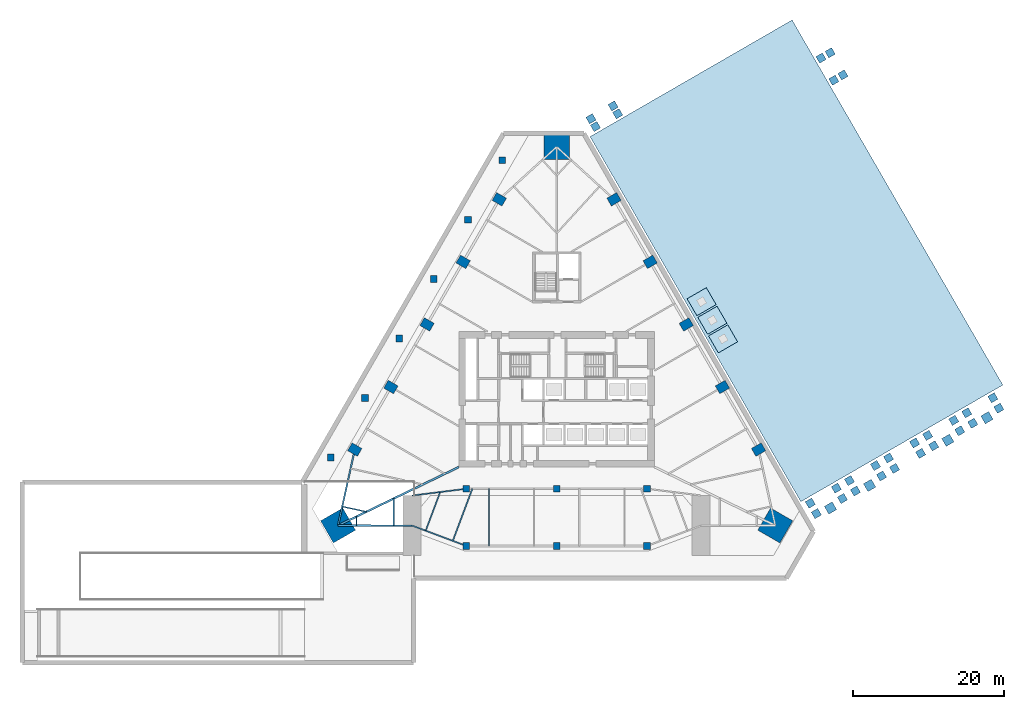
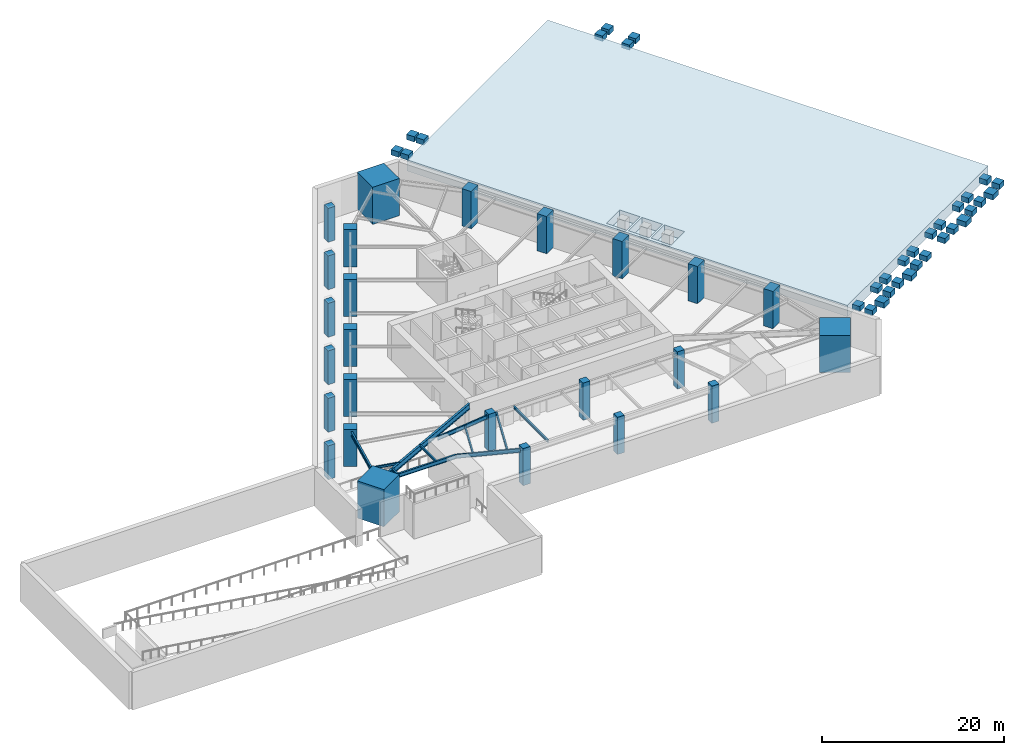
# One storey, part 1 of 9: 36 footings, 25 columns, 11 beams.
"""IFC4 building model written with IfcOpenShell, lengths in metres."""

from ifc_helpers import new_model, si_unit, direction, frame, origin, origin_2d, place, context, subcontext, project, spatial, polyline, rectangle, i_section, outline, extrude, material, layer, layer_set, material_profile, profile_set, type_object, element, save


model = new_model("IFC4")

# Units and contexts
model_context = context("Model", 3, precision=1e-05, world=origin(), true_north=direction((0.0, 1.0)))
body_context = subcontext(model_context, "Body", "Model", "MODEL_VIEW")
ifc_project = project(units=[si_unit("LENGTHUNIT", "METRE"), si_unit("AREAUNIT", "SQUARE_METRE"), si_unit("VOLUMEUNIT", "CUBIC_METRE"), si_unit("PLANEANGLEUNIT", "RADIAN"), si_unit("MASSUNIT", "GRAM", prefix="KILO")], contexts=[model_context])

# Site, building, storey
site_placement = place(None, origin())
site = spatial("IfcSite", under=ifc_project, at=site_placement, CompositionType="ELEMENT")
building_placement = place(site_placement, origin())
building = spatial("IfcBuilding", under=site, at=building_placement, Name="Firuza Gate Tower and Library", CompositionType="ELEMENT")
storey_placement = place(building_placement, frame((0.0, 0.0, -5.0)))
storey = spatial("IfcBuildingStorey", under=building, at=storey_placement, Name="B1", CompositionType="ELEMENT", Elevation=-5.0)

# Footings
ifc_material_1 = material(Name="Concrete C40/50", Category="concrete")
ifc_layer_1 = layer(ifc_material_1, 0.300048828125)
ifc_layer_set_1 = layer_set([ifc_layer_1], Name="LIB LIFT PIT FOOTING 300")
footing_type_1 = type_object("IfcFootingType", Name="LIB LIFT PIT FOOTING 300", PredefinedType="PAD_FOOTING", material=ifc_layer_set_1)
placement_1 = place(storey_placement, frame((0.0, 0.0, 3.199951171875)))
element("IfcFooting", 1, at=placement_1, inside=storey, type_object=footing_type_1, Name="Lift pit footing 1 LIB-F2", PredefinedType="PAD_FOOTING", context=body_context, shape_type="SweptSolid", body=[
    extrude(outline(polyline([(99.0341796875, 82.640869140625), (97.734130859375, 84.892333984375), (95.179443359375, 83.41748046875), (96.4794921875, 81.165771484375), (99.0341796875, 82.640869140625)])), origin(), (0.0, 0.0, 1.0), 0.300048828125),
])
element("IfcFooting", 2, at=placement_1, inside=storey, type_object=footing_type_1, Name="Lift pit footing 2 LIB-F2", PredefinedType="PAD_FOOTING", context=body_context, shape_type="SweptSolid", body=[
    extrude(outline(polyline([(97.609130859375, 85.10888671875), (96.30908203125, 87.360595703125), (93.75439453125, 85.885498046875), (95.054443359375, 83.6337890625), (97.609130859375, 85.10888671875)])), origin(), (0.0, 0.0, 1.0), 0.300048828125),
])
element("IfcFooting", 3, at=placement_1, inside=storey, type_object=footing_type_1, Name="Lift pit footing 3 LIB-F2", PredefinedType="PAD_FOOTING", context=body_context, shape_type="SweptSolid", body=[
    extrude(outline(polyline([(96.18408203125, 87.5771484375), (94.88427734375, 89.828857421875), (92.329345703125, 88.353759765625), (93.62939453125, 86.10205078125), (96.18408203125, 87.5771484375)])), origin(), (0.0, 0.0, 1.0), 0.300048828125),
])
ifc_material_2 = material(Name="Concrete C40/50", Category="concrete")
ifc_layer_2 = layer(ifc_material_2, 0.699951171875)
ifc_layer_set_2 = layer_set([ifc_layer_2], Name="LIB PAD FOOTING 1000")
footing_type_2 = type_object("IfcFootingType", Name="LIB PAD FOOTING 1000", PredefinedType="PAD_FOOTING", material=ifc_layer_set_2)
placement_2 = place(storey_placement, frame((0.0, 0.0, 4.0)))
element("IfcFooting", 4, at=placement_2, inside=storey, type_object=footing_type_2, Name="Library apron pad footing 1 LIB-F1", PredefinedType="PAD_FOOTING", context=body_context, shape_type="SweptSolid", body=[
    extrude(outline(polyline([(110.18212890625, 59.632080078125), (109.68212890625, 60.498046875), (108.81591796875, 59.998046875), (109.31591796875, 59.132080078125), (110.18212890625, 59.632080078125)])), origin(), (0.0, 0.0, 1.0), 0.699951171875),
])
element("IfcFooting", 5, at=placement_2, inside=storey, type_object=footing_type_2, Name="Library apron pad footing 2 LIB-F1", PredefinedType="PAD_FOOTING", context=body_context, shape_type="SweptSolid", body=[
    extrude(outline(polyline([(113.646240234375, 61.632080078125), (113.146240234375, 62.498046875), (112.280029296875, 61.998046875), (112.780029296875, 61.132080078125), (113.646240234375, 61.632080078125)])), origin(), (0.0, 0.0, 1.0), 0.699951171875),
])
element("IfcFooting", 6, at=placement_2, inside=storey, type_object=footing_type_2, Name="Library apron pad footing 3 LIB-F1", PredefinedType="PAD_FOOTING", context=body_context, shape_type="SweptSolid", body=[
    extrude(outline(polyline([(109.382080078125, 61.017822265625), (108.882080078125, 61.8837890625), (108.01611328125, 61.3837890625), (108.51611328125, 60.517822265625), (109.382080078125, 61.017822265625)])), origin(), (0.0, 0.0, 1.0), 0.699951171875),
])
element("IfcFooting", 7, at=placement_2, inside=storey, type_object=footing_type_2, Name="Library apron pad footing 4 LIB-F1", PredefinedType="PAD_FOOTING", context=body_context, shape_type="SweptSolid", body=[
    extrude(outline(polyline([(112.84619140625, 63.017822265625), (112.34619140625, 63.8837890625), (111.47998046875, 63.3837890625), (111.97998046875, 62.517822265625), (112.84619140625, 63.017822265625)])), origin(), (0.0, 0.0, 1.0), 0.699951171875),
])
element("IfcFooting", 8, at=placement_2, inside=storey, type_object=footing_type_2, Name="Library apron pad footing 5 LIB-F1", PredefinedType="PAD_FOOTING", context=body_context, shape_type="SweptSolid", body=[
    extrude(outline(polyline([(115.378173828125, 62.632080078125), (114.878173828125, 63.498046875), (114.01220703125, 62.998046875), (114.51220703125, 62.132080078125), (115.378173828125, 62.632080078125)])), origin(), (0.0, 0.0, 1.0), 0.699951171875),
])
element("IfcFooting", 9, at=placement_2, inside=storey, type_object=footing_type_2, Name="Library apron pad footing 6 LIB-F1", PredefinedType="PAD_FOOTING", context=body_context, shape_type="SweptSolid", body=[
    extrude(outline(polyline([(118.84228515625, 64.632080078125), (118.34228515625, 65.498046875), (117.476318359375, 64.998046875), (117.976318359375, 64.132080078125), (118.84228515625, 64.632080078125)])), origin(), (0.0, 0.0, 1.0), 0.699951171875),
])
element("IfcFooting", 10, at=placement_2, inside=storey, type_object=footing_type_2, Name="Library apron pad footing 7 LIB-F1", PredefinedType="PAD_FOOTING", context=body_context, shape_type="SweptSolid", body=[
    extrude(outline(polyline([(114.578125, 64.017822265625), (114.078125, 64.8837890625), (113.212158203125, 64.3837890625), (113.712158203125, 63.517822265625), (114.578125, 64.017822265625)])), origin(), (0.0, 0.0, 1.0), 0.699951171875),
])
element("IfcFooting", 11, at=placement_2, inside=storey, type_object=footing_type_2, Name="Library apron pad footing 8 LIB-F1", PredefinedType="PAD_FOOTING", context=body_context, shape_type="SweptSolid", body=[
    extrude(outline(polyline([(118.042236328125, 66.017822265625), (117.542236328125, 66.8837890625), (116.67626953125, 66.3837890625), (117.17626953125, 65.517822265625), (118.042236328125, 66.017822265625)])), origin(), (0.0, 0.0, 1.0), 0.699951171875),
])
element("IfcFooting", 12, at=placement_2, inside=storey, type_object=footing_type_2, Name="Library apron pad footing 9 LIB-F1", PredefinedType="PAD_FOOTING", context=body_context, shape_type="SweptSolid", body=[
    extrude(outline(polyline([(120.574462890625, 65.632080078125), (120.074462890625, 66.498046875), (119.208251953125, 65.998046875), (119.708251953125, 65.132080078125), (120.574462890625, 65.632080078125)])), origin(), (0.0, 0.0, 1.0), 0.699951171875),
])
element("IfcFooting", 13, at=placement_2, inside=storey, type_object=footing_type_2, Name="Library apron pad footing 10 LIB-F1", PredefinedType="PAD_FOOTING", context=body_context, shape_type="SweptSolid", body=[
    extrude(outline(polyline([(124.03857421875, 67.632080078125), (123.53857421875, 68.498046875), (122.67236328125, 67.998046875), (123.17236328125, 67.132080078125), (124.03857421875, 67.632080078125)])), origin(), (0.0, 0.0, 1.0), 0.699951171875),
])
element("IfcFooting", 14, at=placement_2, inside=storey, type_object=footing_type_2, Name="Library apron pad footing 11 LIB-F1", PredefinedType="PAD_FOOTING", context=body_context, shape_type="SweptSolid", body=[
    extrude(outline(polyline([(119.7744140625, 67.017822265625), (119.2744140625, 67.8837890625), (118.408203125, 67.3837890625), (118.908203125, 66.517822265625), (119.7744140625, 67.017822265625)])), origin(), (0.0, 0.0, 1.0), 0.699951171875),
])
element("IfcFooting", 15, at=placement_2, inside=storey, type_object=footing_type_2, Name="Library apron pad footing 12 LIB-F1", PredefinedType="PAD_FOOTING", context=body_context, shape_type="SweptSolid", body=[
    extrude(outline(polyline([(123.238525390625, 69.017822265625), (122.738525390625, 69.8837890625), (121.872314453125, 69.3837890625), (122.372314453125, 68.517822265625), (123.238525390625, 69.017822265625)])), origin(), (0.0, 0.0, 1.0), 0.699951171875),
])
element("IfcFooting", 16, at=placement_2, inside=storey, type_object=footing_type_2, Name="Library apron pad footing 13 LIB-F1", PredefinedType="PAD_FOOTING", context=body_context, shape_type="SweptSolid", body=[
    extrude(outline(polyline([(125.7705078125, 68.632080078125), (125.2705078125, 69.498046875), (124.404541015625, 68.998046875), (124.904541015625, 68.132080078125), (125.7705078125, 68.632080078125)])), origin(), (0.0, 0.0, 1.0), 0.699951171875),
])
element("IfcFooting", 17, at=placement_2, inside=storey, type_object=footing_type_2, Name="Library apron pad footing 14 LIB-F1", PredefinedType="PAD_FOOTING", context=body_context, shape_type="SweptSolid", body=[
    extrude(outline(polyline([(129.234619140625, 70.632080078125), (128.734619140625, 71.498046875), (127.86865234375, 70.998046875), (128.36865234375, 70.132080078125), (129.234619140625, 70.632080078125)])), origin(), (0.0, 0.0, 1.0), 0.699951171875),
])
element("IfcFooting", 18, at=placement_2, inside=storey, type_object=footing_type_2, Name="Library apron pad footing 15 LIB-F1", PredefinedType="PAD_FOOTING", context=body_context, shape_type="SweptSolid", body=[
    extrude(outline(polyline([(124.970458984375, 70.017822265625), (124.470458984375, 70.8837890625), (123.6044921875, 70.3837890625), (124.1044921875, 69.517822265625), (124.970458984375, 70.017822265625)])), origin(), (0.0, 0.0, 1.0), 0.699951171875),
])
element("IfcFooting", 19, at=placement_2, inside=storey, type_object=footing_type_2, Name="Library apron pad footing 16 LIB-F1", PredefinedType="PAD_FOOTING", context=body_context, shape_type="SweptSolid", body=[
    extrude(outline(polyline([(128.4345703125, 72.017822265625), (127.9345703125, 72.8837890625), (127.068603515625, 72.3837890625), (127.568603515625, 71.517822265625), (128.4345703125, 72.017822265625)])), origin(), (0.0, 0.0, 1.0), 0.699951171875),
])
element("IfcFooting", 20, at=placement_2, inside=storey, type_object=footing_type_2, Name="Library apron pad footing 17 LIB-F1", PredefinedType="PAD_FOOTING", context=body_context, shape_type="SweptSolid", body=[
    extrude(outline(polyline([(130.966796875, 71.632080078125), (130.466796875, 72.498046875), (129.6005859375, 71.998046875), (130.1005859375, 71.132080078125), (130.966796875, 71.632080078125)])), origin(), (0.0, 0.0, 1.0), 0.699951171875),
])
element("IfcFooting", 21, at=placement_2, inside=storey, type_object=footing_type_2, Name="Library apron pad footing 18 LIB-F1", PredefinedType="PAD_FOOTING", context=body_context, shape_type="SweptSolid", body=[
    extrude(outline(polyline([(134.430908203125, 73.632080078125), (133.930908203125, 74.498046875), (133.064697265625, 73.998046875), (133.564697265625, 73.132080078125), (134.430908203125, 73.632080078125)])), origin(), (0.0, 0.0, 1.0), 0.699951171875),
])
element("IfcFooting", 22, at=placement_2, inside=storey, type_object=footing_type_2, Name="Library apron pad footing 19 LIB-F1", PredefinedType="PAD_FOOTING", context=body_context, shape_type="SweptSolid", body=[
    extrude(outline(polyline([(130.166748046875, 73.017822265625), (129.666748046875, 73.8837890625), (128.800537109375, 73.3837890625), (129.300537109375, 72.517822265625), (130.166748046875, 73.017822265625)])), origin(), (0.0, 0.0, 1.0), 0.699951171875),
])
element("IfcFooting", 23, at=placement_2, inside=storey, type_object=footing_type_2, Name="Library apron pad footing 20 LIB-F1", PredefinedType="PAD_FOOTING", context=body_context, shape_type="SweptSolid", body=[
    extrude(outline(polyline([(133.630859375, 75.017822265625), (133.130859375, 75.8837890625), (132.2646484375, 75.3837890625), (132.7646484375, 74.517822265625), (133.630859375, 75.017822265625)])), origin(), (0.0, 0.0, 1.0), 0.699951171875),
])
element("IfcFooting", 24, at=placement_2, inside=storey, type_object=footing_type_2, Name="Library apron pad footing 21 LIB-F1", PredefinedType="PAD_FOOTING", context=body_context, shape_type="SweptSolid", body=[
    extrude(outline(polyline([(112.505615234375, 117.20751953125), (112.005615234375, 118.073486328125), (111.1396484375, 117.573486328125), (111.6396484375, 116.70751953125), (112.505615234375, 117.20751953125)])), origin(), (0.0, 0.0, 1.0), 0.699951171875),
])
element("IfcFooting", 25, at=placement_2, inside=storey, type_object=footing_type_2, Name="Library apron pad footing 22 LIB-F1", PredefinedType="PAD_FOOTING", context=body_context, shape_type="SweptSolid", body=[
    extrude(outline(polyline([(113.718017578125, 117.90771484375), (113.218017578125, 118.773681640625), (112.35205078125, 118.273681640625), (112.85205078125, 117.40771484375), (113.718017578125, 117.90771484375)])), origin(), (0.0, 0.0, 1.0), 0.699951171875),
])
element("IfcFooting", 26, at=placement_2, inside=storey, type_object=footing_type_2, Name="Library apron pad footing 23 LIB-F1", PredefinedType="PAD_FOOTING", context=body_context, shape_type="SweptSolid", body=[
    extrude(outline(polyline([(110.8056640625, 120.152099609375), (110.3056640625, 121.01806640625), (109.439697265625, 120.51806640625), (109.939697265625, 119.652099609375), (110.8056640625, 120.152099609375)])), origin(), (0.0, 0.0, 1.0), 0.699951171875),
])
element("IfcFooting", 27, at=placement_2, inside=storey, type_object=footing_type_2, Name="Library apron pad footing 24 LIB-F1", PredefinedType="PAD_FOOTING", context=body_context, shape_type="SweptSolid", body=[
    extrude(outline(polyline([(112.01806640625, 120.85205078125), (111.51806640625, 121.718017578125), (110.652099609375, 121.218017578125), (111.152099609375, 120.35205078125), (112.01806640625, 120.85205078125)])), origin(), (0.0, 0.0, 1.0), 0.699951171875),
])
element("IfcFooting", 28, at=placement_2, inside=storey, type_object=footing_type_2, Name="Library apron pad footing 25 LIB-F1", PredefinedType="PAD_FOOTING", context=body_context, shape_type="SweptSolid", body=[
    extrude(outline(polyline([(80.841796875, 111.05078125), (80.341796875, 111.916748046875), (79.475830078125, 111.416748046875), (79.975830078125, 110.55078125), (80.841796875, 111.05078125)])), origin(), (0.0, 0.0, 1.0), 0.699951171875),
])
element("IfcFooting", 29, at=placement_2, inside=storey, type_object=footing_type_2, Name="Library apron pad footing 26 LIB-F1", PredefinedType="PAD_FOOTING", context=body_context, shape_type="SweptSolid", body=[
    extrude(outline(polyline([(83.786376953125, 112.750732421875), (83.286376953125, 113.61669921875), (82.42041015625, 113.11669921875), (82.92041015625, 112.250732421875), (83.786376953125, 112.750732421875)])), origin(), (0.0, 0.0, 1.0), 0.699951171875),
])
element("IfcFooting", 30, at=placement_2, inside=storey, type_object=footing_type_2, Name="Library apron pad footing 27 LIB-F1", PredefinedType="PAD_FOOTING", context=body_context, shape_type="SweptSolid", body=[
    extrude(outline(polyline([(80.241943359375, 112.090087890625), (79.741943359375, 112.9560546875), (78.875732421875, 112.4560546875), (79.375732421875, 111.590087890625), (80.241943359375, 112.090087890625)])), origin(), (0.0, 0.0, 1.0), 0.699951171875),
])
element("IfcFooting", 31, at=placement_2, inside=storey, type_object=footing_type_2, Name="Library apron pad footing 28 LIB-F1", PredefinedType="PAD_FOOTING", context=body_context, shape_type="SweptSolid", body=[
    extrude(outline(polyline([(83.186279296875, 113.7900390625), (82.686279296875, 114.656005859375), (81.8203125, 114.156005859375), (82.3203125, 113.2900390625), (83.186279296875, 113.7900390625)])), origin(), (0.0, 0.0, 1.0), 0.699951171875),
])
element("IfcFooting", 32, at=placement_2, inside=storey, type_object=footing_type_2, Name="Library arcade column footing 29 LIB-F1", PredefinedType="PAD_FOOTING", context=body_context, shape_type="SweptSolid", body=[
    extrude(outline(polyline([(112.20068359375, 60.335693359375), (111.6005859375, 61.375), (110.5615234375, 60.77490234375), (111.16162109375, 59.735595703125), (112.20068359375, 60.335693359375)])), origin(), (0.0, 0.0, 1.0), 0.699951171875),
])
element("IfcFooting", 33, at=placement_2, inside=storey, type_object=footing_type_2, Name="Library arcade column footing 30 LIB-F1", PredefinedType="PAD_FOOTING", context=body_context, shape_type="SweptSolid", body=[
    extrude(outline(polyline([(117.39697265625, 63.335693359375), (116.796875, 64.375), (115.757568359375, 63.77490234375), (116.357666015625, 62.735595703125), (117.39697265625, 63.335693359375)])), origin(), (0.0, 0.0, 1.0), 0.699951171875),
])
element("IfcFooting", 34, at=placement_2, inside=storey, type_object=footing_type_2, Name="Library arcade column footing 31 LIB-F1", PredefinedType="PAD_FOOTING", context=body_context, shape_type="SweptSolid", body=[
    extrude(outline(polyline([(127.789306640625, 69.335693359375), (127.189208984375, 70.375), (126.14990234375, 69.77490234375), (126.75, 68.735595703125), (127.789306640625, 69.335693359375)])), origin(), (0.0, 0.0, 1.0), 0.699951171875),
])
element("IfcFooting", 35, at=placement_2, inside=storey, type_object=footing_type_2, Name="Library arcade column footing 32 LIB-F1", PredefinedType="PAD_FOOTING", context=body_context, shape_type="SweptSolid", body=[
    extrude(outline(polyline([(132.9853515625, 72.335693359375), (132.38525390625, 73.375), (131.34619140625, 72.77490234375), (131.946044921875, 71.735595703125), (132.9853515625, 72.335693359375)])), origin(), (0.0, 0.0, 1.0), 0.699951171875),
])
ifc_material_3 = material(Name="Concrete C40/50", Category="concrete")
ifc_layer_3 = layer(ifc_material_3, 1.5)
ifc_layer_set_3 = layer_set([ifc_layer_3], Name="LIB RAFT 1500")
footing_type_3 = type_object("IfcFootingType", Name="LIB RAFT 1500", PredefinedType="PAD_FOOTING", material=ifc_layer_set_3)
element("IfcFooting", 36, at=placement_1, inside=storey, type_object=footing_type_3, Name="Library raft", PredefinedType="PAD_FOOTING", context=body_context, shape_type="SweptSolid", body=[
    extrude(outline(polyline([(134.27978515625, 76.8935546875), (106.27978515625, 125.39111328125), (79.43310546875, 109.89111328125), (107.43310546875, 61.3935546875), (134.27978515625, 76.8935546875)]), holes=[polyline([(99.0341796875, 82.640869140625), (97.734130859375, 84.892333984375), (95.179443359375, 83.41748046875), (96.4794921875, 81.165771484375), (99.0341796875, 82.640869140625)]), polyline([(97.609130859375, 85.10888671875), (96.30908203125, 87.360595703125), (93.75439453125, 85.885498046875), (95.054443359375, 83.6337890625), (97.609130859375, 85.10888671875)]), polyline([(96.18408203125, 87.5771484375), (94.88427734375, 89.828857421875), (92.329345703125, 88.353759765625), (93.62939453125, 86.10205078125), (96.18408203125, 87.5771484375)])]), origin(), (0.0, 0.0, 1.0), 1.5),
])

# Columns
ifc_material_4 = material(Name="Concrete C60/75", Category="concrete")
ifc_material_profile_1 = material_profile(ifc_material_4, rectangle(XDim=0.89990234375, YDim=0.89990234375, at=origin_2d()))
ifc_profile_set_1 = profile_set([ifc_material_profile_1], Name="Concrete C60/75")
column_type_1 = type_object("IfcColumnType", Name="Basement column 900x900 C60/75", PredefinedType="COLUMN", material=ifc_profile_set_1)
for number, where, z_axis, x_axis, name in (
    (37, (63.0, 63.115478515625, 0.0), (0.0, 0.0, 1.0), (1.0, 0.0, 0.0), "Column B1 bc1"),
    (38, (75.0, 63.115478515625, 0.0), (0.0, 0.0, 1.0), (1.0, 0.0, 0.0), "Column B1 bc2"),
    (39, (87.0, 63.115478515625, 0.0), (0.0, 0.0, 1.0), (1.0, 0.0, 0.0), "Column B1 bc3"),
    (40, (63.0, 55.515380859375, 0.0), (0.0, 0.0, 1.0), (1.0, 0.0, 0.0), "Column B1 fc1"),
    (41, (75.0, 55.515380859375, 0.0), (0.0, 0.0, 1.0), (1.0, 0.0, 0.0), "Column B1 fc2"),
    (42, (87.0, 55.515380859375, 0.0), (0.0, 0.0, 1.0), (1.0, 0.0, 0.0), "Column B1 fc3"),
):
    element("IfcColumn", number, at=place(storey_placement, frame(where, z_axis=z_axis, x_axis=x_axis)), inside=storey, type_object=column_type_1, Name=name, PredefinedType="COLUMN", context=body_context, shape_type="SweptSolid", body=[
        extrude(rectangle(XDim=0.89990234375, YDim=0.89990234375, at=origin_2d()), origin(), (0.0, 0.0, 1.0), 5.0),
    ])
for number, where, z_axis, x_axis, name in (
    (43, (44.980224609375, 67.273681640625, 0.0), (0.0, 0.0, 1.0), (1.0, 0.0, 0.0), "Column B1 AP10"),
    (44, (49.539794921875, 75.1708984375, 0.0), (0.0, 0.0, 1.0), (1.0, 0.0, 0.0), "Column B1 AP11"),
    (45, (54.099365234375, 83.068359375, 0.0), (0.0, 0.0, 1.0), (1.0, 0.0, 0.0), "Column B1 AP12"),
    (46, (58.658935546875, 90.965576171875, 0.0), (0.0, 0.0, 1.0), (1.0, 0.0, 0.0), "Column B1 AP13"),
    (47, (63.218505859375, 98.86279296875, 0.0), (0.0, 0.0, 1.0), (1.0, 0.0, 0.0), "Column B1 AP14"),
    (48, (67.77783203125, 106.76025390625, 0.0), (0.0, 0.0, 1.0), (1.0, 0.0, 0.0), "Column B1 AP15"),
):
    element("IfcColumn", number, at=place(storey_placement, frame(where, z_axis=z_axis, x_axis=x_axis)), inside=storey, type_object=column_type_1, Name=name, PredefinedType="COLUMN", context=body_context, shape_type="SweptSolid", body=[
        extrude(rectangle(XDim=0.89990234375, YDim=0.89990234375, at=origin_2d()), origin(), (0.0, 0.0, 1.0), 4.550048828125),
    ])
ifc_material_5 = material(Name="Concrete C80/95", Category="concrete")
ifc_material_profile_2 = material_profile(ifc_material_5, rectangle(XDim=3.39990234375, YDim=3.39990234375, at=origin_2d()))
ifc_profile_set_2 = profile_set([ifc_material_profile_2], Name="Concrete C80/95")
column_type_2 = type_object("IfcColumnType", Name="Mega column 3400x3400 C80/95", PredefinedType="COLUMN", material=ifc_profile_set_2)
for number, where, z_axis, x_axis, name in (
    (49, (104.041259765625, 58.233154296875, 0.0), (0.0, 0.0, 1.0), (0.5, 0.866025403784, 0.0), "Mega column SE B1"),
    (50, (75.0, 108.533935546875, 0.0), (0.0, 0.0, 1.0), (-1.0, 0.0, 0.0), "Mega column N B1"),
    (51, (45.958740234375, 58.233154296875, 0.0), (0.0, 0.0, 1.0), (0.5, -0.866025403784, 0.0), "Mega column SW B1"),
):
    element("IfcColumn", number, at=place(storey_placement, frame(where, z_axis=z_axis, x_axis=x_axis)), inside=storey, type_object=column_type_2, Name=name, PredefinedType="COLUMN", context=body_context, shape_type="SweptSolid", body=[
        extrude(rectangle(XDim=3.39990234375, YDim=3.39990234375, at=origin_2d()), origin(), (0.0, 0.0, 1.0), 5.0),
    ])
ifc_material_6 = material(Name="Concrete C60/75", Category="concrete")
ifc_material_profile_3 = material_profile(ifc_material_6, rectangle(XDim=1.199951171875, YDim=1.5, at=origin_2d()))
ifc_profile_set_3 = profile_set([ifc_material_profile_3], Name="Concrete C60/75")
column_type_3 = type_object("IfcColumnType", Name="Perimeter column 1200x1500 C60/75", PredefinedType="COLUMN", material=ifc_profile_set_3)
for number, where, z_axis, x_axis, name in (
    (52, (101.820556640625, 68.314697265625, 0.0), (0.0, 0.0, 1.0), (-0.5, 0.866025403784, 0.0), "Column B1 E1"),
    (53, (97.0205078125, 76.62841796875, 0.0), (0.0, 0.0, 1.0), (-0.5, 0.866025403784, 0.0), "Column B1 E2"),
    (54, (92.220458984375, 84.9423828125, 0.0), (0.0, 0.0, 1.0), (-0.5, 0.866025403784, 0.0), "Column B1 E3"),
    (55, (87.420654296875, 93.256103515625, 0.0), (0.0, 0.0, 1.0), (-0.5, 0.866025403784, 0.0), "Column B1 E4"),
    (56, (82.62060546875, 101.570068359375, 0.0), (0.0, 0.0, 1.0), (-0.5, 0.866025403784, 0.0), "Column B1 E5"),
    (57, (67.37939453125, 101.570068359375, 0.0), (0.0, 0.0, 1.0), (-0.5, -0.866025403784, 0.0), "Column B1 W1"),
    (58, (62.579345703125, 93.256103515625, 0.0), (0.0, 0.0, 1.0), (-0.5, -0.866025403784, 0.0), "Column B1 W2"),
    (59, (57.779541015625, 84.9423828125, 0.0), (0.0, 0.0, 1.0), (-0.5, -0.866025403784, 0.0), "Column B1 W3"),
    (60, (52.9794921875, 76.62841796875, 0.0), (0.0, 0.0, 1.0), (-0.5, -0.866025403784, 0.0), "Column B1 W4"),
    (61, (48.179443359375, 68.314697265625, 0.0), (0.0, 0.0, 1.0), (-0.5, -0.866025403784, 0.0), "Column B1 W5"),
):
    element("IfcColumn", number, at=place(storey_placement, frame(where, z_axis=z_axis, x_axis=x_axis)), inside=storey, type_object=column_type_3, Name=name, PredefinedType="COLUMN", context=body_context, shape_type="SweptSolid", body=[
        extrude(rectangle(XDim=1.199951171875, YDim=1.5, at=origin_2d()), origin(), (0.0, 0.0, 1.0), 5.0),
    ])

# Beams
ifc_material_7 = material(Name="Steel S355", Category="steel")
ifc_material_profile_4 = material_profile(ifc_material_7, i_section(OverallWidth=0.1650390625, OverallDepth=0.31005859375, WebThickness=0.005859375, FlangeThickness=0.009765625, at=origin_2d()))
ifc_profile_set_4 = profile_set([ifc_material_profile_4], Name="Steel S355")
beam_type_1 = type_object("IfcBeamType", Name="W310x39 Floor beam", PredefinedType="JOIST", material=ifc_profile_set_4)
beam_1_placement = place(storey_placement, frame((46.513916015625, 60.75341796875, 4.544921875), z_axis=(0.976601243751, -0.215058156564, 0.0), x_axis=(0.215058156564, 0.976601243751, 0.0)))
element("IfcBeam", 62, at=beam_1_placement, inside=storey, type_object=beam_type_1, Name="Floor beam B1 s01", PredefinedType="JOIST", context=body_context, shape_type="SweptSolid", body=[
    extrude(i_section(OverallWidth=0.1650390625, OverallDepth=0.31005859375, WebThickness=0.005859375, FlangeThickness=0.009765625, at=origin_2d()), origin(), (0.0, 0.0, 1.0), 3.27294921875),
])
beam_2_placement = place(storey_placement, frame((48.419189453125, 58.228759765625, 4.544921875), z_axis=(0.00183635683, 0.999998313895, 0.0), x_axis=(-0.999998313895, 0.00183635683, 0.0)))
element("IfcBeam", 63, at=beam_2_placement, inside=storey, type_object=beam_type_1, Name="Floor beam B1 s10", PredefinedType="JOIST", context=body_context, shape_type="SweptSolid", body=[
    extrude(i_section(OverallWidth=0.1650390625, OverallDepth=0.31005859375, WebThickness=0.005859375, FlangeThickness=0.009765625, at=origin_2d()), origin(), (0.0, 0.0, 1.0), 1.196533203125),
])
beam_3_placement = place(storey_placement, frame((53.339599609375, 58.2197265625, 4.544921875), z_axis=(0.001836107072, 0.999998314354, 0.0), x_axis=(-0.999998314354, 0.001836107072, 0.0)))
element("IfcBeam", 64, at=beam_3_placement, inside=storey, type_object=beam_type_1, Name="Floor beam B1 s11", PredefinedType="JOIST", context=body_context, shape_type="SweptSolid", body=[
    extrude(i_section(OverallWidth=0.1650390625, OverallDepth=0.31005859375, WebThickness=0.005859375, FlangeThickness=0.009765625, at=origin_2d()), origin(), (0.0, 0.0, 1.0), 3.590087890625),
])
beam_4_placement = place(storey_placement, frame((57.60009765625, 57.540283203125, 4.544921875), z_axis=(0.351094204277, 0.93634014104, 0.0), x_axis=(-0.93634014104, 0.351094204277, 0.0)))
element("IfcBeam", 65, at=beam_4_placement, inside=storey, type_object=beam_type_1, Name="Floor beam B1 s20", PredefinedType="JOIST", context=body_context, shape_type="SweptSolid", body=[
    extrude(i_section(OverallWidth=0.1650390625, OverallDepth=0.31005859375, WebThickness=0.005859375, FlangeThickness=0.009765625, at=origin_2d()), origin(), (0.0, 0.0, 1.0), 5.49072265625),
])
ifc_material_8 = material(Name="Steel S355", Category="steel")
ifc_material_profile_5 = material_profile(ifc_material_8, i_section(OverallWidth=0.1708984375, OverallDepth=0.35498046875, WebThickness=0.007080078125, FlangeThickness=0.01171875, at=origin_2d()))
ifc_profile_set_5 = profile_set([ifc_material_profile_5], Name="Steel S355")
beam_type_2 = type_object("IfcBeamType", Name="W360x51 Floor beam", PredefinedType="JOIST", material=ifc_profile_set_5)
beam_5_placement = place(storey_placement, frame((61.199951171875, 56.1904296875, 4.5224609375), z_axis=(0.351127059117, 0.936327820988, 0.0), x_axis=(-0.936327820988, 0.351127059117, 0.0)))
element("IfcBeam", 66, at=beam_5_placement, inside=storey, type_object=beam_type_2, Name="Floor beam B1 s21", PredefinedType="JOIST", context=body_context, shape_type="SweptSolid", body=[
    extrude(i_section(OverallWidth=0.1708984375, OverallDepth=0.35498046875, WebThickness=0.007080078125, FlangeThickness=0.01171875, at=origin_2d()), origin(), (0.0, 0.0, 1.0), 7.39599609375),
])
beam_6_placement = place(storey_placement, frame((66.0, 55.515380859375, 4.5224609375), z_axis=(0.0, 1.0, 0.0), x_axis=(-1.0, 0.0, 0.0)))
element("IfcBeam", 67, at=beam_6_placement, inside=storey, type_object=beam_type_2, Name="Floor beam B1 s30", PredefinedType="JOIST", context=body_context, shape_type="SweptSolid", body=[
    extrude(i_section(OverallWidth=0.1708984375, OverallDepth=0.35498046875, WebThickness=0.007080078125, FlangeThickness=0.01171875, at=origin_2d()), origin(), (0.0, 0.0, 1.0), 7.60009765625),
])
ifc_material_9 = material(Name="Steel S355", Category="steel")
ifc_material_profile_6 = material_profile(ifc_material_9, i_section(OverallWidth=0.212890625, OverallDepth=0.5390625, WebThickness=0.01171875, FlangeThickness=0.018798828125, at=origin_2d()))
ifc_profile_set_6 = profile_set([ifc_material_profile_6], Name="Steel S355")
beam_type_3 = type_object("IfcBeamType", Name="W530x109 Edge beam", PredefinedType="SPANDREL", material=ifc_profile_set_6)
beam_7_placement = place(storey_placement, frame((48.179443359375, 68.314697265625, 4.430419921875), z_axis=(-0.215117130091, -0.976588255275, 0.0), x_axis=(0.976588255275, -0.215117130091, 0.0)))
element("IfcBeam", 68, at=beam_7_placement, inside=storey, type_object=beam_type_3, Name="Edge beam B1 e00", PredefinedType="SPANDREL", context=body_context, shape_type="SweptSolid", body=[
    extrude(i_section(OverallWidth=0.212890625, OverallDepth=0.5390625, WebThickness=0.01171875, FlangeThickness=0.018798828125, at=origin_2d()), origin(), (0.0, 0.0, 1.0), 10.3232421875),
])
beam_8_placement = place(storey_placement, frame((45.958740234375, 58.233154296875, 4.430419921875), z_axis=(0.999998360207, -0.001810962051, 0.0), x_axis=(0.001810962051, 0.999998360207, 0.0)))
element("IfcBeam", 69, at=beam_8_placement, inside=storey, type_object=beam_type_3, Name="Edge beam B1 e10", PredefinedType="SPANDREL", context=body_context, shape_type="SweptSolid", body=[
    extrude(i_section(OverallWidth=0.212890625, OverallDepth=0.5390625, WebThickness=0.01171875, FlangeThickness=0.018798828125, at=origin_2d()), origin(), (0.0, 0.0, 1.0), 9.84130859375),
])
ifc_material_10 = material(Name="Steel S355", Category="steel")
ifc_material_profile_7 = material_profile(ifc_material_10, i_section(OverallWidth=0.166015625, OverallDepth=0.534912109375, WebThickness=0.01025390625, FlangeThickness=0.0166015625, at=origin_2d()))
ifc_profile_set_7 = profile_set([ifc_material_profile_7], Name="Steel S355")
beam_type_4 = type_object("IfcBeamType", Name="W530x85 Edge beam", PredefinedType="SPANDREL", material=ifc_profile_set_7)
beam_9_placement = place(storey_placement, frame((55.800048828125, 58.21533203125, 4.4326171875), z_axis=(0.936330482345, -0.351119962166, 0.0), x_axis=(0.351119962166, 0.936330482345, 0.0)))
element("IfcBeam", 70, at=beam_9_placement, inside=storey, type_object=beam_type_4, Name="Edge beam B1 e20", PredefinedType="SPANDREL", context=body_context, shape_type="SweptSolid", body=[
    extrude(i_section(OverallWidth=0.166015625, OverallDepth=0.534912109375, WebThickness=0.01025390625, FlangeThickness=0.0166015625, at=origin_2d()), origin(), (0.0, 0.0, 1.0), 7.689453125),
])
beam_10_placement = place(storey_placement, frame((55.800048828125, 62.21533203125, 4.4326171875), z_axis=(0.992275288289, 0.124055440233, 0.0), x_axis=(-0.124055440233, 0.992275288289, 0.0)))
element("IfcBeam", 71, at=beam_10_placement, inside=storey, type_object=beam_type_4, Name="Edge beam B1 x00", PredefinedType="SPANDREL", context=body_context, shape_type="SweptSolid", body=[
    extrude(i_section(OverallWidth=0.166015625, OverallDepth=0.534912109375, WebThickness=0.01025390625, FlangeThickness=0.0166015625, at=origin_2d()), origin(), (0.0, 0.0, 1.0), 7.256103515625),
])
ifc_material_11 = material(Name="Steel S355", Category="steel")
ifc_material_profile_8 = material_profile(ifc_material_11, i_section(OverallWidth=0.264892578125, OverallDepth=0.7529296875, WebThickness=0.01318359375, FlangeThickness=0.01708984375, at=origin_2d()))
ifc_profile_set_8 = profile_set([ifc_material_profile_8], Name="Steel S355")
beam_type_5 = type_object("IfcBeamType", Name="W760x147 Girder", PredefinedType="BEAM", material=ifc_profile_set_8)
beam_11_placement = place(storey_placement, frame((45.958740234375, 58.233154296875, 4.323486328125), z_axis=(0.900050421894, 0.43578577082, 0.0), x_axis=(-0.43578577082, 0.900050421894, 0.0)))
element("IfcBeam", 72, at=beam_11_placement, inside=storey, type_object=beam_type_5, Name="Girder B1 gSW", PredefinedType="BEAM", context=body_context, shape_type="SweptSolid", body=[
    extrude(i_section(OverallWidth=0.264892578125, OverallDepth=0.7529296875, WebThickness=0.01318359375, FlangeThickness=0.01708984375, at=origin_2d()), origin(), (0.0, 0.0, 1.0), 17.822509765625),
])

save(model, "model.ifc")
